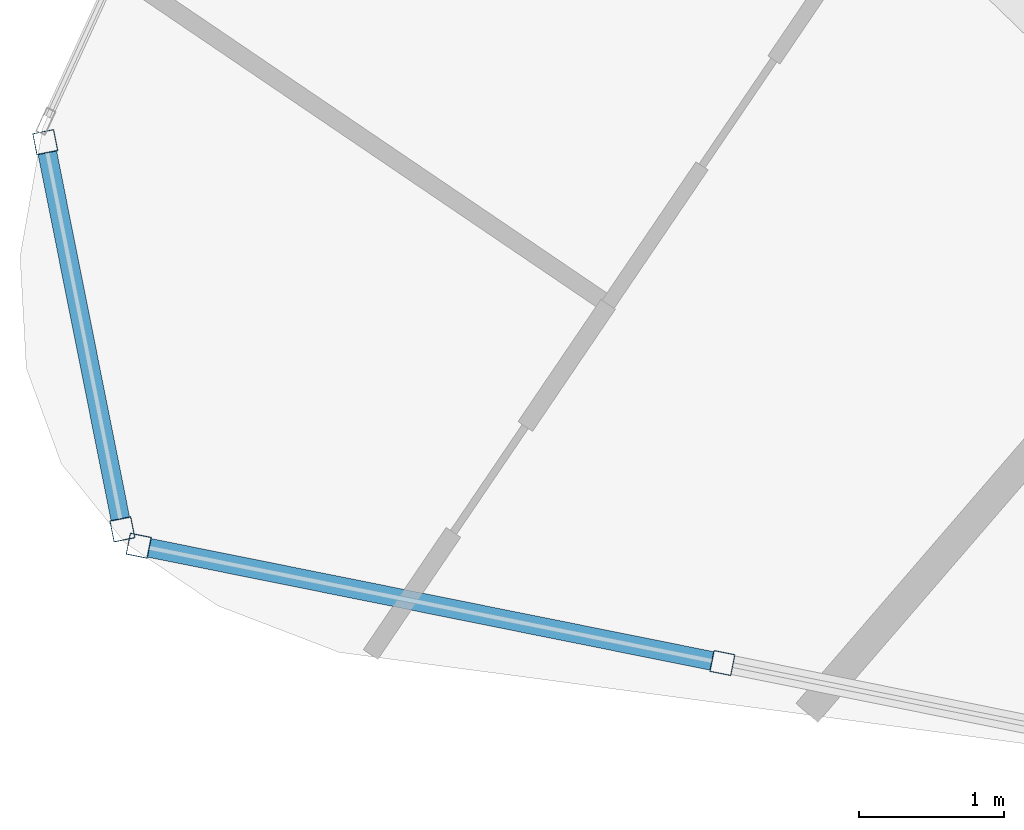
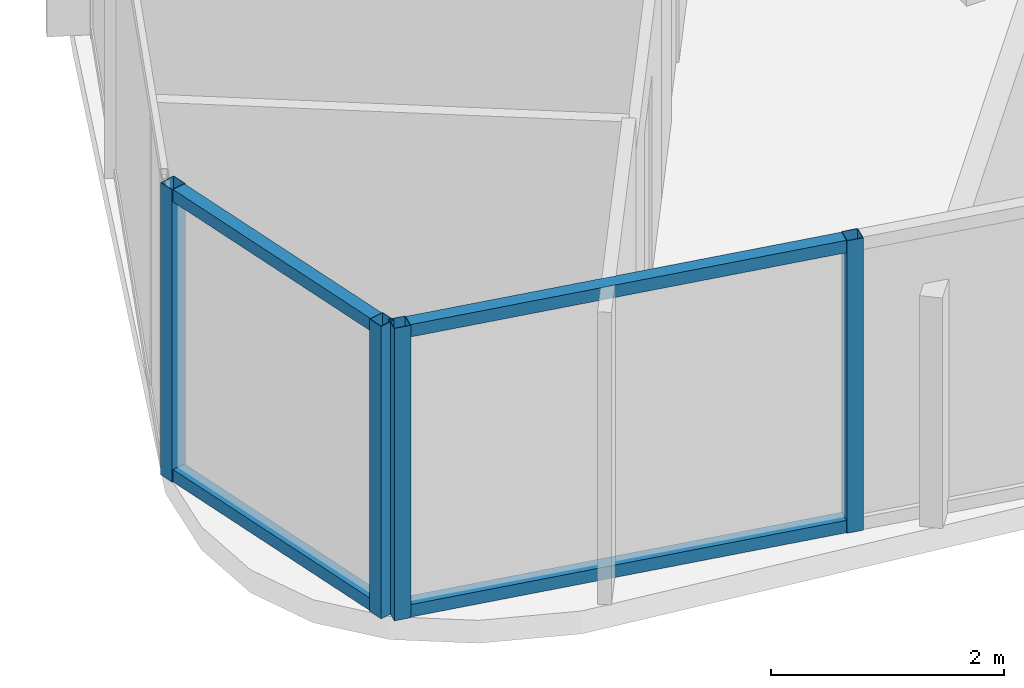
# One storey, part 2 of 35: 8 members, 2 elements without a shape of their own.
"""IFC4 building model written with IfcOpenShell, lengths in metres."""

from ifc_helpers import new_model, si_unit, direction, frame, origin, origin_2d, place, context, subcontext, project, spatial, hollow_rectangle, extrude, material, layer, layer_set, material_profile, profile_set, type_object, element, aggregate, save


model = new_model("IFC4")

# Units and contexts
model_context = context("Model", 3, precision=1e-05, world=origin(), true_north=direction((0.0, 1.0)))
body_context = subcontext(model_context, "Body", "Model", "MODEL_VIEW")
ifc_project = project(units=[si_unit("LENGTHUNIT", "METRE"), si_unit("AREAUNIT", "SQUARE_METRE"), si_unit("VOLUMEUNIT", "CUBIC_METRE"), si_unit("PLANEANGLEUNIT", "RADIAN"), si_unit("MASSUNIT", "GRAM", prefix="KILO")], contexts=[model_context])

# Site, building, storey
site_placement = place(None, origin())
site = spatial("IfcSite", under=ifc_project, at=site_placement, CompositionType="ELEMENT")
building_placement = place(site_placement, origin())
building = spatial("IfcBuilding", under=site, at=building_placement, Name="Orvanel Arch Residences", CompositionType="ELEMENT")
storey_placement = place(building_placement, frame((0.0, 0.0, 30.199951171875)))
storey = spatial("IfcBuildingStorey", under=building, at=storey_placement, Name="L07", CompositionType="ELEMENT", Elevation=30.199951171875)

# Curtain wall, members
ifc_material = material(Name="Bronze-anodised aluminium AA6063-T6", Category="aluminium")
ifc_layer = layer(ifc_material, 0.18994140625)
ifc_layer_set = layer_set([ifc_layer], Name="Bronze-anodised aluminium AA6063-T6")
curtain_wall_type = type_object("IfcCurtainWallType", Name="CW5-CRN-SYS", PredefinedType="NOTDEFINED", material=ifc_layer_set)
curtain_wall_1_placement = place(storey_placement, origin())
curtain_wall_1 = element("IfcCurtainWall", 1, at=curtain_wall_1_placement, inside=storey, type_object=curtain_wall_type, Name="L07 CW5-CRN-SYS Unitised Curtain Wall", PredefinedType="NOTDEFINED")
ifc_material_profile_1 = material_profile(ifc_material, hollow_rectangle(XDim=0.14990234375, YDim=0.14990234375, WallThickness=0.0048828125, at=origin_2d()), Name="ALU150x150x5")
ifc_profile_set_1 = profile_set([ifc_material_profile_1], Name="Bronze-anodised aluminium AA6063-T6")
member_type_1 = type_object("IfcMemberType", Name="MUL-150x150", PredefinedType="MULLION", material=ifc_profile_set_1)
member_1_placement = place(storey_placement, frame((4.002685546875, 6.883544921875, 0.0), z_axis=(0.0, 0.0, 1.0), x_axis=(0.980714680144, 0.195444918456, 0.0)))
member_1 = element("IfcMember", 2, at=member_1_placement, type_object=member_type_1, Name="CW-S5 mullion 1", PredefinedType="MULLION", context=body_context, shape_type="SweptSolid", body=[
    extrude(hollow_rectangle(XDim=0.14990234375, YDim=0.14990234375, WallThickness=0.0048828125, at=origin_2d()), origin(), (0.0, 0.0, 1.0), 3.06005859375),
])
member_2_placement = place(storey_placement, frame((4.533447265625, 4.220458984375, 0.0), z_axis=(0.0, 0.0, 1.0), x_axis=(0.980714680144, 0.195444918456, 0.0)))
member_2 = element("IfcMember", 3, at=member_2_placement, type_object=member_type_1, Name="CW-S5 mullion 2", PredefinedType="MULLION", context=body_context, shape_type="SweptSolid", body=[
    extrude(hollow_rectangle(XDim=0.14990234375, YDim=0.14990234375, WallThickness=0.0048828125, at=origin_2d()), origin(), (0.0, 0.0, 1.0), 3.06005859375),
])

curtain_wall_2_placement = place(storey_placement, origin())
curtain_wall_2 = element("IfcCurtainWall", 4, at=curtain_wall_2_placement, inside=storey, type_object=curtain_wall_type, Name="L07 CW5-CRN-SYS Unitised Curtain Wall", PredefinedType="NOTDEFINED")
member_3_placement = place(storey_placement, frame((4.6455078125, 4.108154296875, 0.0), z_axis=(0.0, 0.0, 1.0), x_axis=(0.197038556687, 0.980395740086, 0.0)))
member_3 = element("IfcMember", 5, at=member_3_placement, type_object=member_type_1, Name="CW-S5 mullion 1", PredefinedType="MULLION", context=body_context, shape_type="SweptSolid", body=[
    extrude(hollow_rectangle(XDim=0.14990234375, YDim=0.14990234375, WallThickness=0.0048828125, at=origin_2d()), origin(), (0.0, 0.0, 1.0), 3.06005859375),
])
member_4_placement = place(storey_placement, frame((8.659423828125, 3.301513671875, 0.0), z_axis=(0.0, 0.0, 1.0), x_axis=(0.197038556687, 0.980395740086, 0.0)))
member_4 = element("IfcMember", 6, at=member_4_placement, type_object=member_type_1, Name="CW-S5 mullion 2", PredefinedType="MULLION", context=body_context, shape_type="SweptSolid", body=[
    extrude(hollow_rectangle(XDim=0.14990234375, YDim=0.14990234375, WallThickness=0.0048828125, at=origin_2d()), origin(), (0.0, 0.0, 1.0), 3.06005859375),
])

# Member
ifc_material_profile_2 = material_profile(ifc_material, hollow_rectangle(XDim=0.1298828125, YDim=0.1298828125, WallThickness=0.00439453125, at=origin_2d()), Name="ALU130x130x4.5")
ifc_profile_set_2 = profile_set([ifc_material_profile_2], Name="Bronze-anodised aluminium AA6063-T6")
member_type_2 = type_object("IfcMemberType", Name="TRN-130x130", PredefinedType="USERDEFINED", material=ifc_profile_set_2)
member_5_placement = place(storey_placement, frame((4.017333984375, 6.809814453125, 0.06494140625), z_axis=(0.195493783771, -0.980704940595, 0.0), x_axis=(0.980704940595, 0.195493783771, 0.0)))
member_5 = element("IfcMember", 7, at=member_5_placement, type_object=member_type_2, Name="CW-S5 transom 1.1", ObjectType="TRANSOM", PredefinedType="USERDEFINED", context=body_context, shape_type="SweptSolid", body=[
    extrude(hollow_rectangle(XDim=0.1298828125, YDim=0.1298828125, WallThickness=0.00439453125, at=origin_2d()), origin(), (0.0, 0.0, 1.0), 2.565185546875),
])

member_6_placement = place(storey_placement, frame((4.017333984375, 6.809814453125, 2.9951171875), z_axis=(0.195493783771, -0.980704940595, 0.0), x_axis=(0.980704940595, 0.195493783771, 0.0)))
member_6 = element("IfcMember", 8, at=member_6_placement, type_object=member_type_2, Name="CW-S5 transom 1.2", ObjectType="TRANSOM", PredefinedType="USERDEFINED", context=body_context, shape_type="SweptSolid", body=[
    extrude(hollow_rectangle(XDim=0.1298828125, YDim=0.1298828125, WallThickness=0.00439453125, at=origin_2d()), origin(), (0.0, 0.0, 1.0), 2.565185546875),
])

aggregate(curtain_wall_1, [member_1, member_2, member_5, member_6])

member_7_placement = place(storey_placement, frame((4.718994140625, 4.093505859375, 0.06494140625), z_axis=(0.980387368562, -0.197080205916, 0.0), x_axis=(0.197080205916, 0.980387368562, 0.0)))
member_7 = element("IfcMember", 9, at=member_7_placement, type_object=member_type_2, Name="CW-S5 transom 1.1", ObjectType="TRANSOM", PredefinedType="USERDEFINED", context=body_context, shape_type="SweptSolid", body=[
    extrude(hollow_rectangle(XDim=0.1298828125, YDim=0.1298828125, WallThickness=0.00439453125, at=origin_2d()), origin(), (0.0, 0.0, 1.0), 3.9443359375),
])

member_8_placement = place(storey_placement, frame((4.718994140625, 4.093505859375, 2.9951171875), z_axis=(0.980387368562, -0.197080205916, 0.0), x_axis=(0.197080205916, 0.980387368562, 0.0)))
member_8 = element("IfcMember", 10, at=member_8_placement, type_object=member_type_2, Name="CW-S5 transom 1.2", ObjectType="TRANSOM", PredefinedType="USERDEFINED", context=body_context, shape_type="SweptSolid", body=[
    extrude(hollow_rectangle(XDim=0.1298828125, YDim=0.1298828125, WallThickness=0.00439453125, at=origin_2d()), origin(), (0.0, 0.0, 1.0), 3.9443359375),
])

aggregate(curtain_wall_2, [member_3, member_4, member_7, member_8])

save(model, "model.ifc")
